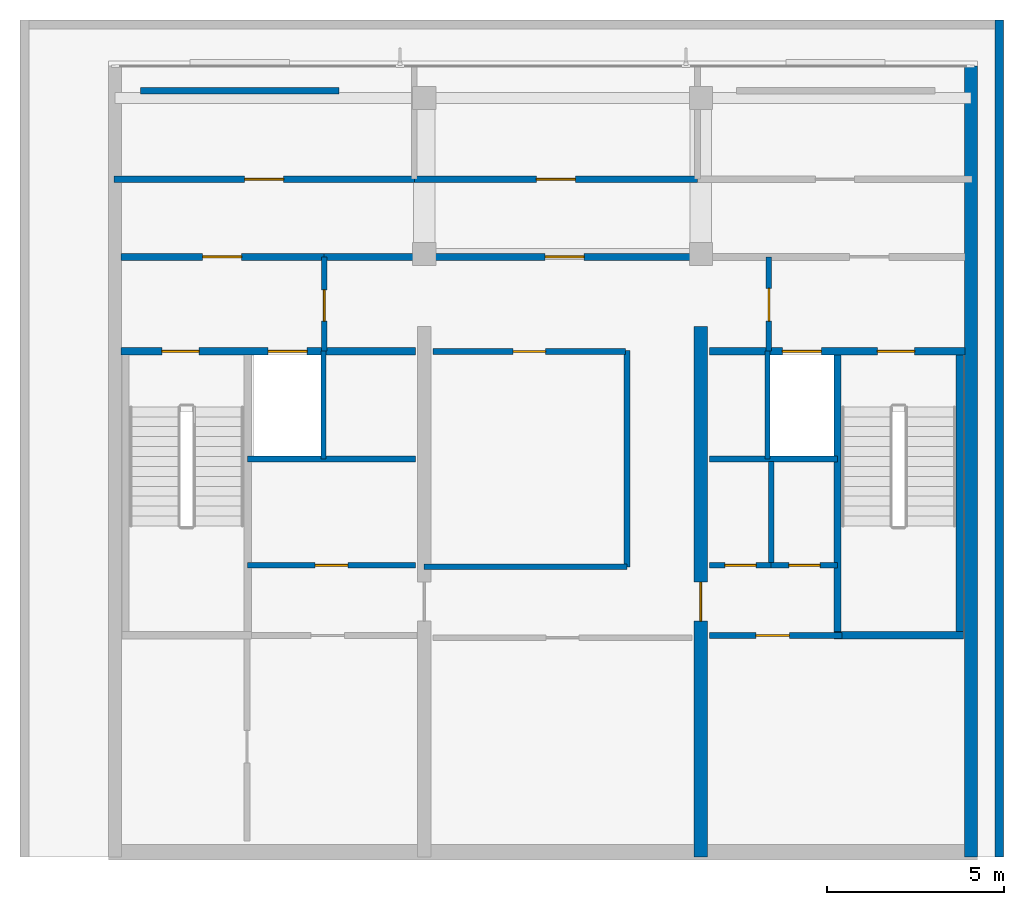
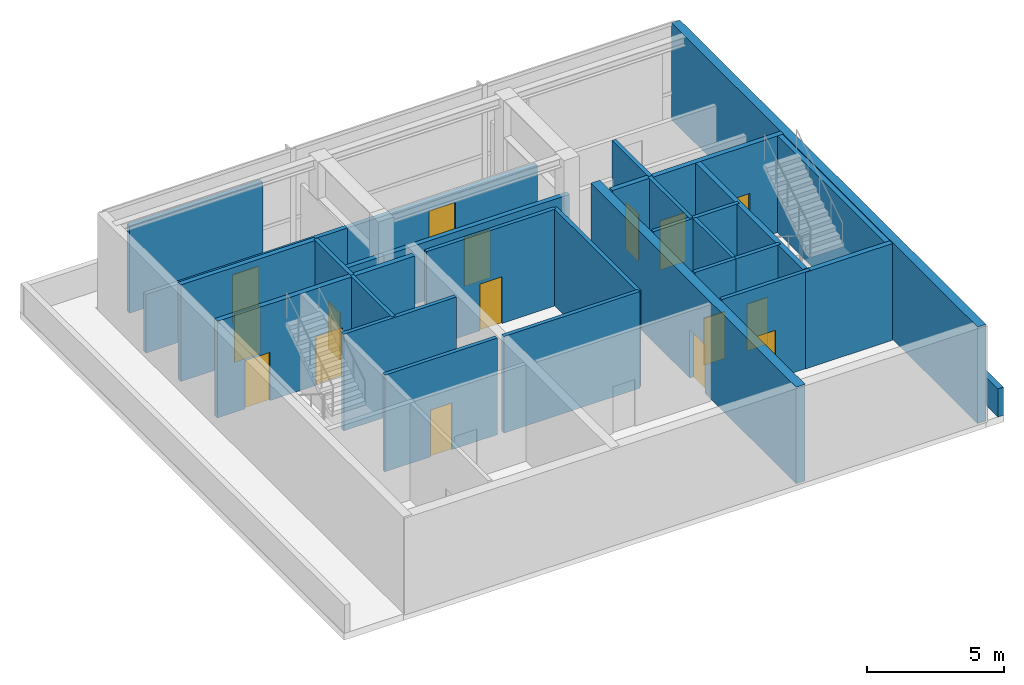
# One storey, part 2 of 4: 28 walls, 16 doors, 16 openings.
"""IFC4 building model written with IfcOpenShell, lengths in metres."""

from ifc_helpers import new_model, si_unit, direction, frame, frame_2d, origin, place, context, subcontext, project, spatial, rectangle, extrude, material, layer, layer_set, type_object, element, fill, save


model = new_model("IFC4")

# Units and contexts
model_context = context("Model", 3, precision=1e-05, world=origin(), true_north=direction((0.0, 1.0)))
body_context = subcontext(model_context, "Body", "Model", "MODEL_VIEW")
ifc_project = project(units=[si_unit("LENGTHUNIT", "METRE"), si_unit("AREAUNIT", "SQUARE_METRE"), si_unit("VOLUMEUNIT", "CUBIC_METRE"), si_unit("PLANEANGLEUNIT", "RADIAN"), si_unit("MASSUNIT", "GRAM", prefix="KILO")], contexts=[model_context])

# Site, building, storey
site_placement = place(None, origin())
site = spatial("IfcSite", under=ifc_project, at=site_placement, CompositionType="ELEMENT")
building_placement = place(site_placement, origin())
building = spatial("IfcBuilding", under=site, at=building_placement, Name="Qalmaran Belvedere Hotel", CompositionType="ELEMENT")
storey_placement = place(building_placement, frame((0.0, 0.0, 307.89990234375)))
storey = spatial("IfcBuildingStorey", under=building, at=storey_placement, Name="C03", CompositionType="ELEMENT", Elevation=307.89990234375)

# Wall, opening, door
ifc_material_1 = material(Name="Concrete C50/60", Category="concrete")
ifc_layer_1 = layer(ifc_material_1, 0.3798828125, Name="Concrete C50/60")
ifc_layer_set_1 = layer_set([ifc_layer_1], Name="Concrete C50/60")
wall_type_1 = type_object("IfcWallType", Name="WL-CORE-380-C50", PredefinedType="SHEAR", material=ifc_layer_set_1)
wall_1_placement = place(storey_placement, frame((37.0, 3.5, 0.0), z_axis=(0.0, 0.0, 1.0), x_axis=(0.0, 1.0, 0.0)))
wall_1 = element("IfcWall", 1, at=wall_1_placement, inside=storey, type_object=wall_type_1, Name="C03 Core East Spine Shear Wall", PredefinedType="SHEAR", context=body_context, shape_type="SweptSolid", body=[
    extrude(rectangle(XDim=14.949951171875, YDim=0.3798828125, at=frame_2d((7.47509765625, 0.0))), origin(), (0.0, 0.0, 1.0), 4.300048828125),
])
opening_1_placement = place(wall_1_placement, frame((6.64990234375, 0.0, 0.0)))
opening_1 = element("IfcOpeningElement", 2, at=opening_1_placement, cuts=wall_1, Name="Opening FD90", PredefinedType="OPENING", context=body_context, shape_type="SweptSolid", body=[
    extrude(rectangle(XDim=1.10009765625, YDim=2.14990234375, at=frame_2d((0.550048828125, 1.074951171875))), frame((0.0, 0.199951171875, 0.0), z_axis=(0.0, -1.0, 0.0), x_axis=(1.0, 0.0, 0.0)), (0.0, 0.0, 1.0), 0.39990234375),
])
ifc_material_2 = material(Name="Steel S355JR", Category="steel")
door_type_1 = type_object("IfcDoorType", Name="DR-FD90-1100X2150", OperationType="NOTDEFINED", PredefinedType="DOOR", material=ifc_material_2)
door_1_placement = place(opening_1_placement, origin())
door_1 = element("IfcDoor", 3, at=door_1_placement, inside=storey, type_object=door_type_1, Name="C03 Core East Cross-Lobby Door", OperationType="SINGLE_SWING_LEFT", OverallHeight=2.14990234375, OverallWidth=1.10009765625, PredefinedType="DOOR", context=body_context, shape_type="SweptSolid", body=[
    extrude(rectangle(XDim=1.10009765625, YDim=2.14990234375, at=frame_2d((0.550048828125, 1.074951171875))), frame((0.0, 0.02490234375, 0.0), z_axis=(0.0, -1.0, 0.0), x_axis=(1.0, 0.0, 0.0)), (0.0, 0.0, 1.0), 0.050048828125),
])
fill(opening_1, door_1)

# Walls
ifc_layer_2 = layer(ifc_material_1, 0.360107421875, Name="Concrete C50/60")
ifc_layer_set_2 = layer_set([ifc_layer_2], Name="Concrete C50/60")
wall_type_2 = type_object("IfcWallType", Name="WL-COREWE-360-EXT", PredefinedType="SHEAR", material=ifc_layer_set_2)
wall_2_placement = place(storey_placement, frame((44.6201171875, 3.5, 0.0), z_axis=(0.0, 0.0, 1.0), x_axis=(0.0, 1.0, 0.0)))
element("IfcWall", 4, at=wall_2_placement, inside=storey, type_object=wall_type_2, Name="C03 East Core Shear Wall", PredefinedType="SHEAR", context=body_context, shape_type="SweptSolid", body=[
    extrude(rectangle(XDim=22.300048828125, YDim=0.360107421875, at=frame_2d((11.14990234375, 0.0))), origin(), (0.0, 0.0, 1.0), 4.300048828125),
])
ifc_material_3 = material(Name="Anodised Bronze Cladding")
ifc_layer_3 = layer(ifc_material_3, 0.18505859375, Name="Anodised Bronze Cladding")
ifc_layer_set_3 = layer_set([ifc_layer_3], Name="Anodised Bronze Cladding")
wall_type_3 = type_object("IfcWallType", Name="WL-CRN-SCRN-185", PredefinedType="ELEMENTEDWALL", material=ifc_layer_set_3)
wall_3_placement = place(storey_placement, frame((21.199951171875, 25.10009765625, 0.0), z_axis=(0.0, 0.0, 1.0), x_axis=(1.0, 0.0, 0.0)))
element("IfcWall", 5, at=wall_3_placement, inside=storey, type_object=wall_type_3, Name="C03 Crown Acoustic Screen N1", PredefinedType="ELEMENTEDWALL", context=body_context, shape_type="SweptSolid", body=[
    extrude(rectangle(XDim=5.60009765625, YDim=0.18505859375, at=frame_2d((2.800048828125, 0.0))), origin(), (0.0, 0.0, 1.0), 3.885009765625),
])
ifc_material_4 = material(Name="Gypsum Stud Partition")
ifc_layer_4 = layer(ifc_material_4, 0.14990234375, Name="Gypsum Stud Partition")
ifc_layer_set_4 = layer_set([ifc_layer_4], Name="Gypsum Stud Partition")
wall_type_4 = type_object("IfcWallType", Name="WL-INT-150-EI120", PredefinedType="PARTITIONING", material=ifc_layer_set_4)
for number, where, z_axis, x_axis, name in (
    (6, (26.360107421875, 14.719970703125, 0.0), (0.0, 0.0, 1.0), (0.0, 1.0, 0.0), "C03 Partition WL-FF1M-C03"),
    (7, (38.8798828125, 14.719970703125, 0.0), (0.0, 0.0, 1.0), (0.0, 1.0, 0.0), "C03 Partition WL-FF2M-C03"),
):
    element("IfcWall", number, at=place(storey_placement, frame(where, z_axis=z_axis, x_axis=x_axis)), inside=storey, type_object=wall_type_4, Name=name, PredefinedType="PARTITIONING", context=body_context, shape_type="SweptSolid", body=[
        extrude(rectangle(XDim=3.0400390625, YDim=0.14990234375, at=frame_2d((1.52001953125, 0.0))), origin(), (0.0, 0.0, 1.0), 4.300048828125),
    ])
ifc_layer_5 = layer(ifc_material_4, 0.14990234375, Name="Gypsum Stud Partition")
ifc_layer_set_5 = layer_set([ifc_layer_5], Name="Gypsum Stud Partition")
wall_type_5 = type_object("IfcWallType", Name="WL-INT-150-EI60", PredefinedType="PARTITIONING", material=ifc_layer_set_5)
wall_4_placement = place(storey_placement, frame((38.98291015625, 11.719970703125, 0.0), z_axis=(0.0, 0.0, 1.0), x_axis=(0.0, 1.0, 0.0)))
element("IfcWall", 8, at=wall_4_placement, inside=storey, type_object=wall_type_5, Name="C03 Partition WL-C03-KEV1", PredefinedType="PARTITIONING", context=body_context, shape_type="SweptSolid", body=[
    extrude(rectangle(XDim=2.929931640625, YDim=0.14990234375, at=frame_2d((1.46484375, 0.0))), origin(), (0.0, 0.0, 1.0), 4.300048828125),
])

# Wall, opening, door
ifc_layer_6 = layer(ifc_material_4, 0.159912109375, Name="Gypsum Stud Partition")
ifc_layer_set_6 = layer_set([ifc_layer_6], Name="Gypsum Stud Partition")
wall_type_6 = type_object("IfcWallType", Name="WL-INT-160-EI120", PredefinedType="PARTITIONING", material=ifc_layer_set_6)
wall_5_placement = place(storey_placement, frame((26.3798828125, 17.760009765625, 0.0), z_axis=(0.0, 0.0, 1.0), x_axis=(0.0, 1.0, 0.0)))
wall_5 = element("IfcWall", 9, at=wall_5_placement, inside=storey, type_object=wall_type_6, Name="C03 Partition WL-FFSV1-C03", PredefinedType="PARTITIONING", context=body_context, shape_type="SweptSolid", body=[
    extrude(rectangle(XDim=2.659912109375, YDim=0.159912109375, at=frame_2d((1.330078125, 0.0))), origin(), (0.0, 0.0, 1.0), 4.300048828125),
])
opening_2_placement = place(wall_5_placement, frame((0.85009765625, 0.0, 0.0)))
opening_2 = element("IfcOpeningElement", 10, at=opening_2_placement, cuts=wall_5, Name="Opening FD60B", PredefinedType="OPENING", context=body_context, shape_type="SweptSolid", body=[
    extrude(rectangle(XDim=0.8798828125, YDim=2.080078125, at=frame_2d((0.43994140625, 1.0400390625))), frame((0.0, 0.08984375, 0.0), z_axis=(0.0, -1.0, 0.0), x_axis=(1.0, 0.0, 0.0)), (0.0, 0.0, 1.0), 0.179931640625),
])
door_type_2 = type_object("IfcDoorType", Name="DR-FD60B-880X2080", OperationType="NOTDEFINED", PredefinedType="DOOR", material=ifc_material_2)
door_2_placement = place(opening_2_placement, origin())
door_2 = element("IfcDoor", 11, at=door_2_placement, inside=storey, type_object=door_type_2, Name="C03 Service Lobby West Door", OperationType="SINGLE_SWING_RIGHT", OverallHeight=2.080078125, OverallWidth=0.8798828125, PredefinedType="DOOR", context=body_context, shape_type="SweptSolid", body=[
    extrude(rectangle(XDim=0.8798828125, YDim=2.080078125, at=frame_2d((0.43994140625, 1.0400390625))), frame((0.0, 0.02490234375, 0.0), z_axis=(0.0, -1.0, 0.0), x_axis=(1.0, 0.0, 0.0)), (0.0, 0.0, 1.0), 0.050048828125),
])
fill(opening_2, door_2)

wall_6_placement = place(storey_placement, frame((38.919921875, 17.760009765625, 0.0), z_axis=(0.0, 0.0, 1.0), x_axis=(0.0, 1.0, 0.0)))
wall_6 = element("IfcWall", 12, at=wall_6_placement, inside=storey, type_object=wall_type_6, Name="C03 Partition WL-FFSV2-C03", PredefinedType="PARTITIONING", context=body_context, shape_type="SweptSolid", body=[
    extrude(rectangle(XDim=2.659912109375, YDim=0.159912109375, at=frame_2d((1.330078125, 0.0))), origin(), (0.0, 0.0, 1.0), 4.300048828125),
])
opening_3_placement = place(wall_6_placement, frame((1.77001953125, 0.0, 0.0), z_axis=(0.0, 0.0, 1.0), x_axis=(-1.0, 0.0, 0.0)))
opening_3 = element("IfcOpeningElement", 13, at=opening_3_placement, cuts=wall_6, Name="Opening FD60S1", PredefinedType="OPENING", context=body_context, shape_type="SweptSolid", body=[
    extrude(rectangle(XDim=0.919921875, YDim=2.080078125, at=frame_2d((0.4599609375, 1.0400390625))), frame((0.0, 0.08984375, 0.0), z_axis=(0.0, -1.0, 0.0), x_axis=(1.0, 0.0, 0.0)), (0.0, 0.0, 1.0), 0.179931640625),
])
ifc_material_5 = material(Name="Engineered Oak Veneer")
door_type_3 = type_object("IfcDoorType", Name="DR-FD60S-920X2080", OperationType="NOTDEFINED", PredefinedType="DOOR", material=ifc_material_5)
door_3_placement = place(opening_3_placement, origin())
door_3 = element("IfcDoor", 14, at=door_3_placement, inside=storey, type_object=door_type_3, Name="C03 Service Lobby East Door", OperationType="SINGLE_SWING_LEFT", OverallHeight=2.080078125, OverallWidth=0.919921875, PredefinedType="DOOR", context=body_context, shape_type="SweptSolid", body=[
    extrude(rectangle(XDim=0.919921875, YDim=2.080078125, at=frame_2d((0.4599609375, 1.0400390625))), frame((0.0, 0.02490234375, 0.0), z_axis=(0.0, -1.0, 0.0), x_axis=(1.0, 0.0, 0.0)), (0.0, 0.0, 1.0), 0.050048828125),
])
fill(opening_3, door_3)

# Walls
wall_7_placement = place(storey_placement, frame((24.219970703125, 14.719970703125, 0.0), z_axis=(0.0, 0.0, 1.0), x_axis=(1.0, 0.0, 0.0)))
element("IfcWall", 15, at=wall_7_placement, inside=storey, type_object=wall_type_6, Name="C03 Partition WL-FF1S-C03", PredefinedType="PARTITIONING", context=body_context, shape_type="SweptSolid", body=[
    extrude(rectangle(XDim=4.72998046875, YDim=0.159912109375, at=frame_2d((2.364990234375, 0.0))), origin(), (0.0, 0.0, 1.0), 4.300048828125),
])
wall_8_placement = place(storey_placement, frame((37.25, 14.719970703125, 0.0), z_axis=(0.0, 0.0, 1.0), x_axis=(1.0, 0.0, 0.0)))
element("IfcWall", 16, at=wall_8_placement, inside=storey, type_object=wall_type_6, Name="C03 Partition WL-FF2S-C03", PredefinedType="PARTITIONING", context=body_context, shape_type="SweptSolid", body=[
    extrude(rectangle(XDim=3.610107421875, YDim=0.159912109375, at=frame_2d((1.80517578125, 0.0))), origin(), (0.0, 0.0, 1.0), 4.300048828125),
])

# Wall, opening, door
ifc_layer_7 = layer(ifc_material_4, 0.159912109375, Name="Gypsum Stud Partition")
ifc_layer_set_7 = layer_set([ifc_layer_7], Name="Gypsum Stud Partition")
wall_type_7 = type_object("IfcWallType", Name="WL-INT-160-EI60", PredefinedType="PARTITIONING", material=ifc_layer_set_7)
wall_9_placement = place(storey_placement, frame((24.219970703125, 11.719970703125, 0.0), z_axis=(0.0, 0.0, 1.0), x_axis=(1.0, 0.0, 0.0)))
wall_9 = element("IfcWall", 17, at=wall_9_placement, inside=storey, type_object=wall_type_7, Name="C03 Partition WL-C03-KWE1", PredefinedType="PARTITIONING", context=body_context, shape_type="SweptSolid", body=[
    extrude(rectangle(XDim=4.72998046875, YDim=0.159912109375, at=frame_2d((2.364990234375, 0.0))), origin(), (0.0, 0.0, 1.0), 4.300048828125),
])
opening_4_placement = place(wall_9_placement, frame((1.905029296875, 0.0, 0.0)))
opening_4 = element("IfcOpeningElement", 18, at=opening_4_placement, cuts=wall_9, Name="Opening FD60S1", PredefinedType="OPENING", context=body_context, shape_type="SweptSolid", body=[
    extrude(rectangle(XDim=0.919921875, YDim=2.080078125, at=frame_2d((0.4599609375, 1.0400390625))), frame((0.0, 0.08984375, 0.0), z_axis=(0.0, -1.0, 0.0), x_axis=(1.0, 0.0, 0.0)), (0.0, 0.0, 1.0), 0.179931640625),
])
door_4_placement = place(opening_4_placement, origin())
door_4 = element("IfcDoor", 19, at=door_4_placement, inside=storey, type_object=door_type_3, Name="C03 Electrical Switchgear Plant Room Door", OperationType="SINGLE_SWING_LEFT", OverallHeight=2.080078125, OverallWidth=0.919921875, PredefinedType="DOOR", context=body_context, shape_type="SweptSolid", body=[
    extrude(rectangle(XDim=0.919921875, YDim=2.080078125, at=frame_2d((0.4599609375, 1.0400390625))), frame((0.0, 0.02490234375, 0.0), z_axis=(0.0, -1.0, 0.0), x_axis=(1.0, 0.0, 0.0)), (0.0, 0.0, 1.0), 0.050048828125),
])
fill(opening_4, door_4)

wall_10_placement = place(storey_placement, frame((37.25, 11.719970703125, 0.0), z_axis=(0.0, 0.0, 1.0), x_axis=(1.0, 0.0, 0.0)))
wall_10 = element("IfcWall", 20, at=wall_10_placement, inside=storey, type_object=wall_type_7, Name="C03 Partition WL-C03-KEE1", PredefinedType="PARTITIONING", context=body_context, shape_type="SweptSolid", body=[
    extrude(rectangle(XDim=1.73291015625, YDim=0.159912109375, at=frame_2d((0.866455078125, 0.0))), origin(), (0.0, 0.0, 1.0), 4.300048828125),
])
opening_5_placement = place(wall_10_placement, frame((0.426513671875, 0.0, 0.0)))
opening_5 = element("IfcOpeningElement", 21, at=opening_5_placement, cuts=wall_10, Name="Opening FD60B", PredefinedType="OPENING", context=body_context, shape_type="SweptSolid", body=[
    extrude(rectangle(XDim=0.8798828125, YDim=2.080078125, at=frame_2d((0.43994140625, 1.0400390625))), frame((0.0, 0.08984375, 0.0), z_axis=(0.0, -1.0, 0.0), x_axis=(1.0, 0.0, 0.0)), (0.0, 0.0, 1.0), 0.179931640625),
])
door_5_placement = place(opening_5_placement, origin())
door_5 = element("IfcDoor", 22, at=door_5_placement, inside=storey, type_object=door_type_2, Name="C03 Smoke Control Plant Room Door", OperationType="SINGLE_SWING_RIGHT", OverallHeight=2.080078125, OverallWidth=0.8798828125, PredefinedType="DOOR", context=body_context, shape_type="SweptSolid", body=[
    extrude(rectangle(XDim=0.8798828125, YDim=2.080078125, at=frame_2d((0.43994140625, 1.0400390625))), frame((0.0, 0.02490234375, 0.0), z_axis=(0.0, -1.0, 0.0), x_axis=(1.0, 0.0, 0.0)), (0.0, 0.0, 1.0), 0.050048828125),
])
fill(opening_5, door_5)

wall_11_placement = place(storey_placement, frame((38.98291015625, 11.719970703125, 0.0), z_axis=(0.0, 0.0, 1.0), x_axis=(1.0, 0.0, 0.0)))
wall_11 = element("IfcWall", 23, at=wall_11_placement, inside=storey, type_object=wall_type_7, Name="C03 Partition WL-C03-KEE2", PredefinedType="PARTITIONING", context=body_context, shape_type="SweptSolid", body=[
    extrude(rectangle(XDim=1.877197265625, YDim=0.159912109375, at=frame_2d((0.9384765625, 0.0))), origin(), (0.0, 0.0, 1.0), 4.300048828125),
])
opening_6_placement = place(wall_11_placement, frame((0.49853515625, 0.0, 0.0)))
opening_6 = element("IfcOpeningElement", 24, at=opening_6_placement, cuts=wall_11, Name="Opening FD60B", PredefinedType="OPENING", context=body_context, shape_type="SweptSolid", body=[
    extrude(rectangle(XDim=0.8798828125, YDim=2.080078125, at=frame_2d((0.43994140625, 1.0400390625))), frame((0.0, 0.08984375, 0.0), z_axis=(0.0, -1.0, 0.0), x_axis=(1.0, 0.0, 0.0)), (0.0, 0.0, 1.0), 0.179931640625),
])
door_6_placement = place(opening_6_placement, origin())
door_6 = element("IfcDoor", 25, at=door_6_placement, inside=storey, type_object=door_type_2, Name="C03 Low Voltage Switch Plant Room Door", OperationType="SINGLE_SWING_LEFT", OverallHeight=2.080078125, OverallWidth=0.8798828125, PredefinedType="DOOR", context=body_context, shape_type="SweptSolid", body=[
    extrude(rectangle(XDim=0.8798828125, YDim=2.080078125, at=frame_2d((0.43994140625, 1.0400390625))), frame((0.0, 0.02490234375, 0.0), z_axis=(0.0, -1.0, 0.0), x_axis=(1.0, 0.0, 0.0)), (0.0, 0.0, 1.0), 0.050048828125),
])
fill(opening_6, door_6)

wall_12_placement = place(storey_placement, frame((37.25, 9.739990234375, 0.0), z_axis=(0.0, 0.0, 1.0), x_axis=(1.0, 0.0, 0.0)))
wall_12 = element("IfcWall", 26, at=wall_12_placement, inside=storey, type_object=wall_type_7, Name="C03 Partition WL-PHFR-C03", PredefinedType="PARTITIONING", context=body_context, shape_type="SweptSolid", body=[
    extrude(rectangle(XDim=3.72998046875, YDim=0.159912109375, at=frame_2d((1.864990234375, 0.0))), origin(), (0.0, 0.0, 1.0), 4.300048828125),
])
opening_7_placement = place(wall_12_placement, frame((2.25, 0.0, 0.0), z_axis=(0.0, 0.0, 1.0), x_axis=(-1.0, 0.0, 0.0)))
opening_7 = element("IfcOpeningElement", 27, at=opening_7_placement, cuts=wall_12, Name="Opening FD60", PredefinedType="OPENING", context=body_context, shape_type="SweptSolid", body=[
    extrude(rectangle(XDim=0.949951171875, YDim=2.14990234375, at=frame_2d((0.47509765625, 1.074951171875))), frame((0.0, 0.08984375, 0.0), z_axis=(0.0, -1.0, 0.0), x_axis=(1.0, 0.0, 0.0)), (0.0, 0.0, 1.0), 0.179931640625),
])
door_type_4 = type_object("IfcDoorType", Name="DR-FD60-950X2150", OperationType="NOTDEFINED", PredefinedType="DOOR", material=ifc_material_5)
door_7_placement = place(opening_7_placement, origin())
door_7 = element("IfcDoor", 28, at=door_7_placement, inside=storey, type_object=door_type_4, Name="C03 Freed PH Room Door", OperationType="SINGLE_SWING_RIGHT", OverallHeight=2.14990234375, OverallWidth=0.949951171875, PredefinedType="DOOR", context=body_context, shape_type="SweptSolid", body=[
    extrude(rectangle(XDim=0.949951171875, YDim=2.14990234375, at=frame_2d((0.47509765625, 1.074951171875))), frame((0.0, 0.02490234375, 0.0), z_axis=(0.0, -1.0, 0.0), x_axis=(1.0, 0.0, 0.0)), (0.0, 0.0, 1.0), 0.050048828125),
])
fill(opening_7, door_7)

# Walls
wall_13_placement = place(storey_placement, frame((34.919921875, 11.679931640625, 0.0), z_axis=(0.0, 0.0, 1.0), x_axis=(0.0, 1.0, 0.0)))
element("IfcWall", 29, at=wall_13_placement, inside=storey, type_object=wall_type_7, Name="C03 Partition WL-CLLV-C03", PredefinedType="PARTITIONING", context=body_context, shape_type="SweptSolid", body=[
    extrude(rectangle(XDim=6.10009765625, YDim=0.159912109375, at=frame_2d((3.050048828125, 0.0))), origin(), (0.0, 0.0, 1.0), 4.300048828125),
])
wall_14_placement = place(storey_placement, frame((29.199951171875, 11.679931640625, 0.0), z_axis=(0.0, 0.0, 1.0), x_axis=(1.0, 0.0, 0.0)))
element("IfcWall", 30, at=wall_14_placement, inside=storey, type_object=wall_type_7, Name="C03 Partition WL-PMFS-C03", PredefinedType="PARTITIONING", context=body_context, shape_type="SweptSolid", body=[
    extrude(rectangle(XDim=5.719970703125, YDim=0.159912109375, at=frame_2d((2.85986328125, 0.0))), origin(), (0.0, 0.0, 1.0), 4.300048828125),
])

# Wall, opening, door
wall_15_placement = place(storey_placement, frame((29.449951171875, 17.75, 0.0), z_axis=(0.0, 0.0, 1.0), x_axis=(1.0, 0.0, 0.0)))
wall_15 = element("IfcWall", 31, at=wall_15_placement, inside=storey, type_object=wall_type_7, Name="C03 Partition WL-C03-KPME1", PredefinedType="PARTITIONING", context=body_context, shape_type="SweptSolid", body=[
    extrude(rectangle(XDim=5.429931640625, YDim=0.159912109375, at=frame_2d((2.71484375, 0.0))), origin(), (0.0, 0.0, 1.0), 4.300048828125),
])
opening_8_placement = place(wall_15_placement, frame((3.1748046875, 0.0, 0.0), z_axis=(0.0, 0.0, 1.0), x_axis=(-1.0, 0.0, 0.0)))
opening_8 = element("IfcOpeningElement", 32, at=opening_8_placement, cuts=wall_15, Name="Opening FD60S1", PredefinedType="OPENING", context=body_context, shape_type="SweptSolid", body=[
    extrude(rectangle(XDim=0.919921875, YDim=2.080078125, at=frame_2d((0.4599609375, 1.0400390625))), frame((0.0, 0.08984375, 0.0), z_axis=(0.0, -1.0, 0.0), x_axis=(1.0, 0.0, 0.0)), (0.0, 0.0, 1.0), 0.179931640625),
])
door_8_placement = place(opening_8_placement, origin())
door_8 = element("IfcDoor", 33, at=door_8_placement, inside=storey, type_object=door_type_3, Name="C03 Telecom UPS Plant Room Door", OperationType="SINGLE_SWING_RIGHT", OverallHeight=2.080078125, OverallWidth=0.919921875, PredefinedType="DOOR", context=body_context, shape_type="SweptSolid", body=[
    extrude(rectangle(XDim=0.919921875, YDim=2.080078125, at=frame_2d((0.4599609375, 1.0400390625))), frame((0.0, 0.02490234375, 0.0), z_axis=(0.0, -1.0, 0.0), x_axis=(1.0, 0.0, 0.0)), (0.0, 0.0, 1.0), 0.050048828125),
])
fill(opening_8, door_8)

ifc_layer_8 = layer(ifc_material_4, 0.179931640625, Name="Gypsum Stud Partition")
ifc_layer_set_8 = layer_set([ifc_layer_8], Name="Gypsum Stud Partition")
wall_type_8 = type_object("IfcWallType", Name="WL-INT-180-EI120", PredefinedType="PARTITIONING", material=ifc_layer_set_8)
wall_16_placement = place(storey_placement, frame((20.449951171875, 22.610107421875, 0.0), z_axis=(0.0, 0.0, 1.0), x_axis=(1.0, 0.0, 0.0)))
wall_16 = element("IfcWall", 34, at=wall_16_placement, inside=storey, type_object=wall_type_8, Name="C03 Partition WL-C03-CCN1", PredefinedType="PARTITIONING", context=body_context, shape_type="SweptSolid", body=[
    extrude(rectangle(XDim=8.469970703125, YDim=0.179931640625, at=frame_2d((4.23486328125, 0.0))), origin(), (0.0, 0.0, 1.0), 2.60498046875),
])
opening_9_placement = place(wall_16_placement, frame((3.68505859375, 0.0, 0.0)))
opening_9 = element("IfcOpeningElement", 35, at=opening_9_placement, cuts=wall_16, Name="Opening FD90", PredefinedType="OPENING", context=body_context, shape_type="SweptSolid", body=[
    extrude(rectangle(XDim=1.10009765625, YDim=2.14990234375, at=frame_2d((0.550048828125, 1.074951171875))), frame((0.0, 0.10009765625, 0.0), z_axis=(0.0, -1.0, 0.0), x_axis=(1.0, 0.0, 0.0)), (0.0, 0.0, 1.0), 0.199951171875),
])
door_9_placement = place(opening_9_placement, origin())
door_9 = element("IfcDoor", 36, at=door_9_placement, inside=storey, type_object=door_type_1, Name="C03 Heat Rejection Chiller Plant Room Door", OperationType="SINGLE_SWING_LEFT", OverallHeight=2.14990234375, OverallWidth=1.10009765625, PredefinedType="DOOR", context=body_context, shape_type="SweptSolid", body=[
    extrude(rectangle(XDim=1.10009765625, YDim=2.14990234375, at=frame_2d((0.550048828125, 1.074951171875))), frame((0.0, 0.02490234375, 0.0), z_axis=(0.0, -1.0, 0.0), x_axis=(1.0, 0.0, 0.0)), (0.0, 0.0, 1.0), 0.050048828125),
])
fill(opening_9, door_9)

wall_17_placement = place(storey_placement, frame((28.919921875, 22.610107421875, 0.0), z_axis=(0.0, 0.0, 1.0), x_axis=(1.0, 0.0, 0.0)))
wall_17 = element("IfcWall", 37, at=wall_17_placement, inside=storey, type_object=wall_type_8, Name="C03 Partition WL-C03-CCN2", PredefinedType="PARTITIONING", context=body_context, shape_type="SweptSolid", body=[
    extrude(rectangle(XDim=7.986083984375, YDim=0.179931640625, at=frame_2d((3.9931640625, 0.0))), origin(), (0.0, 0.0, 1.0), 2.60498046875),
])
opening_10_placement = place(wall_17_placement, frame((3.443115234375, 0.0, 0.0)))
opening_10 = element("IfcOpeningElement", 38, at=opening_10_placement, cuts=wall_17, Name="Opening FD90", PredefinedType="OPENING", context=body_context, shape_type="SweptSolid", body=[
    extrude(rectangle(XDim=1.10009765625, YDim=2.14990234375, at=frame_2d((0.550048828125, 1.074951171875))), frame((0.0, 0.10009765625, 0.0), z_axis=(0.0, -1.0, 0.0), x_axis=(1.0, 0.0, 0.0)), (0.0, 0.0, 1.0), 0.199951171875),
])
door_10_placement = place(opening_10_placement, origin())
door_10 = element("IfcDoor", 39, at=door_10_placement, inside=storey, type_object=door_type_1, Name="C03 Smoke Extract and AHU Plant Room Door", OperationType="SINGLE_SWING_RIGHT", OverallHeight=2.14990234375, OverallWidth=1.10009765625, PredefinedType="DOOR", context=body_context, shape_type="SweptSolid", body=[
    extrude(rectangle(XDim=1.10009765625, YDim=2.14990234375, at=frame_2d((0.550048828125, 1.074951171875))), frame((0.0, 0.02490234375, 0.0), z_axis=(0.0, -1.0, 0.0), x_axis=(1.0, 0.0, 0.0)), (0.0, 0.0, 1.0), 0.050048828125),
])
fill(opening_10, door_10)

ifc_material_6 = material(Name="Concrete C30/37 Blockwork", Category="masonry")
ifc_layer_9 = layer(ifc_material_6, 0.199951171875, Name="Concrete C30/37 Blockwork")
ifc_layer_set_9 = layer_set([ifc_layer_9], Name="Concrete C30/37 Blockwork")
wall_type_9 = type_object("IfcWallType", Name="WL-INT-200-EI120", PredefinedType="PARTITIONING", material=ifc_layer_set_9)
wall_18_placement = place(storey_placement, frame((20.64990234375, 20.419921875, 0.0), z_axis=(0.0, 0.0, 1.0), x_axis=(1.0, 0.0, 0.0)))
wall_18 = element("IfcWall", 40, at=wall_18_placement, inside=storey, type_object=wall_type_9, Name="C03 Partition WL-CN1A-C03", PredefinedType="PARTITIONING", context=body_context, shape_type="SweptSolid", body=[
    extrude(rectangle(XDim=5.72998046875, YDim=0.199951171875, at=frame_2d((2.864990234375, 0.0))), origin(), (0.0, 0.0, 1.0), 4.300048828125),
])
opening_11_placement = place(wall_18_placement, frame((2.300048828125, 0.0, 0.0)))
opening_11 = element("IfcOpeningElement", 41, at=opening_11_placement, cuts=wall_18, Name="Opening FD90", PredefinedType="OPENING", context=body_context, shape_type="SweptSolid", body=[
    extrude(rectangle(XDim=1.10009765625, YDim=2.14990234375, at=frame_2d((0.550048828125, 1.074951171875))), frame((0.0, 0.10986328125, 0.0), z_axis=(0.0, -1.0, 0.0), x_axis=(1.0, 0.0, 0.0)), (0.0, 0.0, 1.0), 0.219970703125),
])
door_11_placement = place(opening_11_placement, origin())
door_11 = element("IfcDoor", 42, at=door_11_placement, inside=storey, type_object=door_type_1, Name="C03 FF1 Lobby Corridor Door", OperationType="SINGLE_SWING_RIGHT", OverallHeight=2.14990234375, OverallWidth=1.10009765625, PredefinedType="DOOR", context=body_context, shape_type="SweptSolid", body=[
    extrude(rectangle(XDim=1.10009765625, YDim=2.14990234375, at=frame_2d((0.550048828125, 1.074951171875))), frame((0.0, 0.02490234375, 0.0), z_axis=(0.0, -1.0, 0.0), x_axis=(1.0, 0.0, 0.0)), (0.0, 0.0, 1.0), 0.050048828125),
])
fill(opening_11, door_11)

# Wall
wall_19_placement = place(storey_placement, frame((26.3798828125, 20.419921875, 0.0), z_axis=(0.0, 0.0, 1.0), x_axis=(1.0, 0.0, 0.0)))
element("IfcWall", 43, at=wall_19_placement, inside=storey, type_object=wall_type_9, Name="C03 Partition WL-CN1B-C03", PredefinedType="PARTITIONING", context=body_context, shape_type="SweptSolid", body=[
    extrude(rectangle(XDim=2.820068359375, YDim=0.199951171875, at=frame_2d((1.41015625, 0.0))), origin(), (0.0, 0.0, 1.0), 2.60498046875),
])

# Wall, opening, door
wall_20_placement = place(storey_placement, frame((29.199951171875, 20.419921875, 0.0), z_axis=(0.0, 0.0, 1.0), x_axis=(1.0, 0.0, 0.0)))
wall_20 = element("IfcWall", 44, at=wall_20_placement, inside=storey, type_object=wall_type_9, Name="C03 Partition WL-CN2-C03", PredefinedType="PARTITIONING", context=body_context, shape_type="SweptSolid", body=[
    extrude(rectangle(XDim=7.800048828125, YDim=0.199951171875, at=frame_2d((3.89990234375, 0.0))), origin(), (0.0, 0.0, 1.0), 2.60498046875),
])
opening_12_placement = place(wall_20_placement, frame((3.4091796875, 0.0, 0.0)))
opening_12 = element("IfcOpeningElement", 45, at=opening_12_placement, cuts=wall_20, Name="Opening FD90", PredefinedType="OPENING", context=body_context, shape_type="SweptSolid", body=[
    extrude(rectangle(XDim=1.10009765625, YDim=2.14990234375, at=frame_2d((0.550048828125, 1.074951171875))), frame((0.0, 0.10986328125, 0.0), z_axis=(0.0, -1.0, 0.0), x_axis=(1.0, 0.0, 0.0)), (0.0, 0.0, 1.0), 0.219970703125),
])
door_12_placement = place(opening_12_placement, origin())
door_12 = element("IfcDoor", 46, at=door_12_placement, inside=storey, type_object=door_type_1, Name="C03 Central Lift Lobby Door", OperationType="SINGLE_SWING_LEFT", OverallHeight=2.14990234375, OverallWidth=1.10009765625, PredefinedType="DOOR", context=body_context, shape_type="SweptSolid", body=[
    extrude(rectangle(XDim=1.10009765625, YDim=2.14990234375, at=frame_2d((0.550048828125, 1.074951171875))), frame((0.0, 0.02490234375, 0.0), z_axis=(0.0, -1.0, 0.0), x_axis=(1.0, 0.0, 0.0)), (0.0, 0.0, 1.0), 0.050048828125),
])
fill(opening_12, door_12)

# Wall
ifc_material_7 = material(Name="Concrete C40/50", Category="concrete")
ifc_layer_10 = layer(ifc_material_7, 0.239990234375, Name="Concrete C40/50")
ifc_layer_set_10 = layer_set([ifc_layer_10], Name="Concrete C40/50")
wall_type_10 = type_object("IfcWallType", Name="WL-PARAPET-240", PredefinedType="PARAPET", material=ifc_layer_set_10)
wall_21_placement = place(storey_placement, frame((45.409912109375, 3.5, 0.0), z_axis=(0.0, 0.0, 1.0), x_axis=(0.0, 1.0, 0.0)))
element("IfcWall", 47, at=wall_21_placement, inside=storey, type_object=wall_type_10, Name="C03 Roof Parapet 2", PredefinedType="PARAPET", context=body_context, shape_type="SweptSolid", body=[
    extrude(rectangle(XDim=23.60009765625, YDim=0.239990234375, at=frame_2d((11.800048828125, 0.0))), origin(), (0.0, 0.0, 1.0), 1.25),
])

# Wall, openings, doors
ifc_layer_11 = layer(ifc_material_1, 0.2099609375, Name="Concrete C50/60")
ifc_layer_set_11 = layer_set([ifc_layer_11], Name="Concrete C50/60")
wall_type_11 = type_object("IfcWallType", Name="WL-STAIR-210-C50", PredefinedType="SHEAR", material=ifc_layer_set_11)
wall_22_placement = place(storey_placement, frame((20.64990234375, 17.7548828125, 0.0), z_axis=(0.0, 0.0, 1.0), x_axis=(1.0, 0.0, 0.0)))
wall_22 = element("IfcWall", 48, at=wall_22_placement, inside=storey, type_object=wall_type_11, Name="C03 West Lobby and Stair ST-1 North Bearing Wall", PredefinedType="SHEAR", context=body_context, shape_type="SweptSolid", body=[
    extrude(rectangle(XDim=8.300048828125, YDim=0.2099609375, at=frame_2d((4.14990234375, 0.0))), origin(), (0.0, 0.0, 1.0), 4.300048828125),
])
opening_13_placement = place(wall_22_placement, frame((2.199951171875, 0.0, 0.0), z_axis=(0.0, 0.0, 1.0), x_axis=(-1.0, 0.0, 0.0)))
opening_13 = element("IfcOpeningElement", 49, at=opening_13_placement, cuts=wall_22, Name="Opening FD90S2", PredefinedType="OPENING", context=body_context, shape_type="SweptSolid", body=[
    extrude(rectangle(XDim=1.050048828125, YDim=2.14990234375, at=frame_2d((0.52490234375, 1.074951171875))), frame((0.0, 0.114990234375, 0.0), z_axis=(0.0, -1.0, 0.0), x_axis=(1.0, 0.0, 0.0)), (0.0, 0.0, 1.0), 0.22998046875),
])
opening_14_placement = place(wall_22_placement, frame((4.14990234375, 0.0, 0.0)))
opening_14 = element("IfcOpeningElement", 50, at=opening_14_placement, cuts=wall_22, Name="Opening LD-FF", PredefinedType="OPENING", context=body_context, shape_type="SweptSolid", body=[
    extrude(rectangle(XDim=1.10009765625, YDim=2.179931640625, at=frame_2d((0.550048828125, 1.08984375))), frame((0.0, 0.114990234375, 0.0), z_axis=(0.0, -1.0, 0.0), x_axis=(1.0, 0.0, 0.0)), (0.0, 0.0, 1.0), 0.22998046875),
])
door_type_5 = type_object("IfcDoorType", Name="DR-FD90S-1050X2150", OperationType="NOTDEFINED", PredefinedType="DOOR", material=ifc_material_2)
door_13_placement = place(opening_13_placement, origin())
door_13 = element("IfcDoor", 51, at=door_13_placement, inside=storey, type_object=door_type_5, Name="C03 Stair ST-1 Door", OperationType="SINGLE_SWING_RIGHT", OverallHeight=2.14990234375, OverallWidth=1.050048828125, PredefinedType="DOOR", context=body_context, shape_type="SweptSolid", body=[
    extrude(rectangle(XDim=1.050048828125, YDim=2.14990234375, at=frame_2d((0.52490234375, 1.074951171875))), frame((0.0, 0.02490234375, 0.0), z_axis=(0.0, -1.0, 0.0), x_axis=(1.0, 0.0, 0.0)), (0.0, 0.0, 1.0), 0.050048828125),
])
fill(opening_13, door_13)
ifc_material_8 = material(Name="Stainless Steel 1.4401", Category="steel")
door_type_6 = type_object("IfcDoorType", Name="DR-LIFT-FF-1100X2180", OperationType="DOUBLE_DOOR_SLIDING", PredefinedType="DOOR", material=ifc_material_8)
door_14_placement = place(opening_14_placement, origin())
door_14 = element("IfcDoor", 52, at=door_14_placement, inside=storey, type_object=door_type_6, Name="C03 FF1 Lift Landing Door", OperationType="DOUBLE_DOOR_SLIDING", OverallHeight=2.179931640625, OverallWidth=1.10009765625, PredefinedType="DOOR", context=body_context, shape_type="SweptSolid", body=[
    extrude(rectangle(XDim=1.10009765625, YDim=2.179931640625, at=frame_2d((0.550048828125, 1.08984375))), frame((0.0, 0.02490234375, 0.0), z_axis=(0.0, -1.0, 0.0), x_axis=(1.0, 0.0, 0.0)), (0.0, 0.0, 1.0), 0.050048828125),
])
fill(opening_14, door_14)

# Walls
for number, where, z_axis, x_axis, name in (
    (53, (40.85498046875, 9.7451171875, 0.0), (0.0, 0.0, 1.0), (0.0, 1.0, 0.0), "C03 Stair ST-2 West Bearing Wall"),
    (54, (44.304931640625, 9.7451171875, 0.0), (0.0, 0.0, 1.0), (0.0, 1.0, 0.0), "C03 Stair ST-2 East Bearing Wall"),
):
    element("IfcWall", number, at=place(storey_placement, frame(where, z_axis=z_axis, x_axis=x_axis)), inside=storey, type_object=wall_type_11, Name=name, PredefinedType="SHEAR", context=body_context, shape_type="SweptSolid", body=[
        extrude(rectangle(XDim=8.009765625, YDim=0.2099609375, at=frame_2d((4.0048828125, 0.0))), origin(), (0.0, 0.0, 1.0), 4.300048828125),
    ])
wall_23_placement = place(storey_placement, frame((40.75, 9.7451171875, 0.0), z_axis=(0.0, 0.0, 1.0), x_axis=(1.0, 0.0, 0.0)))
element("IfcWall", 55, at=wall_23_placement, inside=storey, type_object=wall_type_11, Name="C03 Stair ST-2 South Bearing Wall", PredefinedType="SHEAR", context=body_context, shape_type="SweptSolid", body=[
    extrude(rectangle(XDim=3.659912109375, YDim=0.2099609375, at=frame_2d((1.830078125, 0.0))), origin(), (0.0, 0.0, 1.0), 4.300048828125),
])

# Wall, openings, doors
wall_24_placement = place(storey_placement, frame((37.25, 17.7548828125, 0.0), z_axis=(0.0, 0.0, 1.0), x_axis=(1.0, 0.0, 0.0)))
wall_24 = element("IfcWall", 56, at=wall_24_placement, inside=storey, type_object=wall_type_11, Name="C03 East Lobby and Stair ST-2 North Bearing Wall", PredefinedType="SHEAR", context=body_context, shape_type="SweptSolid", body=[
    extrude(rectangle(XDim=7.199951171875, YDim=0.2099609375, at=frame_2d((3.60009765625, 0.0))), origin(), (0.0, 0.0, 1.0), 4.300048828125),
])
opening_15_placement = place(wall_24_placement, frame((2.050048828125, 0.0, 0.0)))
opening_15 = element("IfcOpeningElement", 57, at=opening_15_placement, cuts=wall_24, Name="Opening LD-FF", PredefinedType="OPENING", context=body_context, shape_type="SweptSolid", body=[
    extrude(rectangle(XDim=1.10009765625, YDim=2.179931640625, at=frame_2d((0.550048828125, 1.08984375))), frame((0.0, 0.114990234375, 0.0), z_axis=(0.0, -1.0, 0.0), x_axis=(1.0, 0.0, 0.0)), (0.0, 0.0, 1.0), 0.22998046875),
])
opening_16_placement = place(wall_24_placement, frame((5.780029296875, 0.0, 0.0), z_axis=(0.0, 0.0, 1.0), x_axis=(-1.0, 0.0, 0.0)))
opening_16 = element("IfcOpeningElement", 58, at=opening_16_placement, cuts=wall_24, Name="Opening FD90S2", PredefinedType="OPENING", context=body_context, shape_type="SweptSolid", body=[
    extrude(rectangle(XDim=1.050048828125, YDim=2.14990234375, at=frame_2d((0.52490234375, 1.074951171875))), frame((0.0, 0.114990234375, 0.0), z_axis=(0.0, -1.0, 0.0), x_axis=(1.0, 0.0, 0.0)), (0.0, 0.0, 1.0), 0.22998046875),
])
door_15_placement = place(opening_16_placement, origin())
door_15 = element("IfcDoor", 59, at=door_15_placement, inside=storey, type_object=door_type_5, Name="C03 Stair ST-2 Door", OperationType="SINGLE_SWING_LEFT", OverallHeight=2.14990234375, OverallWidth=1.050048828125, PredefinedType="DOOR", context=body_context, shape_type="SweptSolid", body=[
    extrude(rectangle(XDim=1.050048828125, YDim=2.14990234375, at=frame_2d((0.52490234375, 1.074951171875))), frame((0.0, 0.02490234375, 0.0), z_axis=(0.0, -1.0, 0.0), x_axis=(1.0, 0.0, 0.0)), (0.0, 0.0, 1.0), 0.050048828125),
])
fill(opening_16, door_15)
door_16_placement = place(opening_15_placement, origin())
door_16 = element("IfcDoor", 60, at=door_16_placement, inside=storey, type_object=door_type_6, Name="C03 FF2 Lift Landing Door", OperationType="DOUBLE_DOOR_SLIDING", OverallHeight=2.179931640625, OverallWidth=1.10009765625, PredefinedType="DOOR", context=body_context, shape_type="SweptSolid", body=[
    extrude(rectangle(XDim=1.10009765625, YDim=2.179931640625, at=frame_2d((0.550048828125, 1.08984375))), frame((0.0, 0.02490234375, 0.0), z_axis=(0.0, -1.0, 0.0), x_axis=(1.0, 0.0, 0.0)), (0.0, 0.0, 1.0), 0.050048828125),
])
fill(opening_15, door_16)

save(model, "model.ifc")
